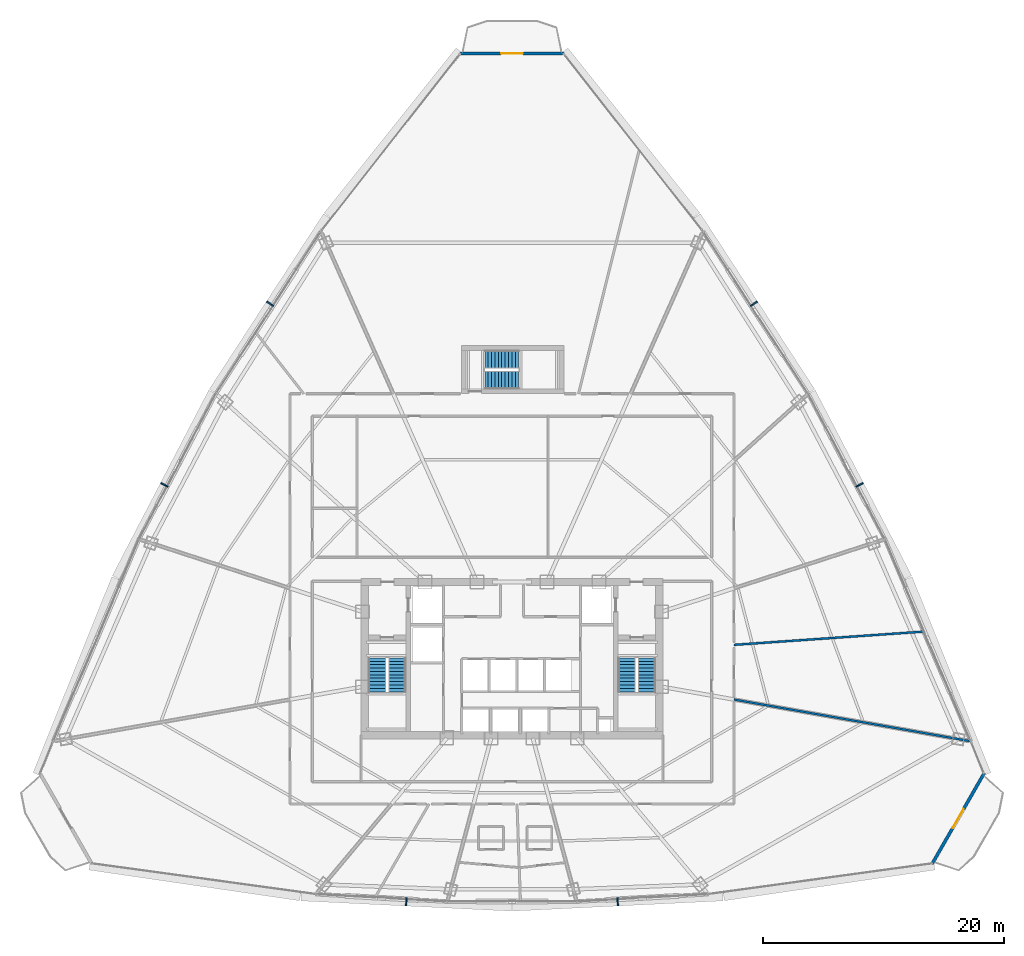
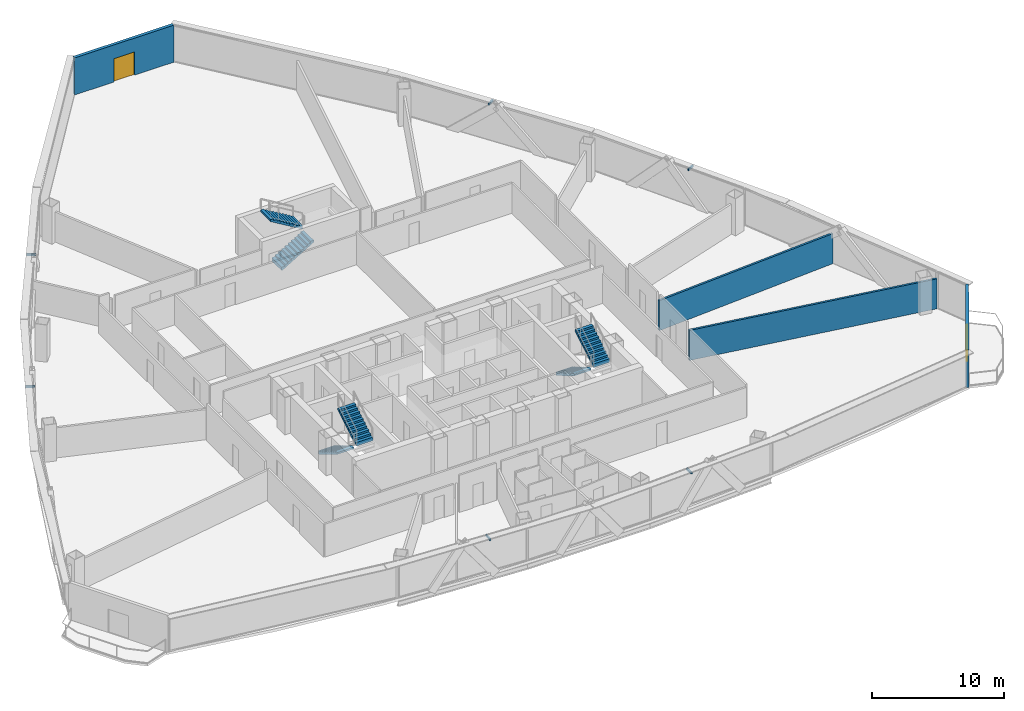
# One storey, part 35 of 39: 6 discrete accessories, 6 stair flights, 4 walls, 2 doors, 2 openings, 3 elements without a shape of their own.
"""IFC4 building model written with IfcOpenShell, lengths in metres."""

from ifc_helpers import new_model, si_unit, direction, frame, frame_2d, origin, origin_with_axes, origin_2d, place, context, subcontext, project, spatial, polyline, rectangle, outline, extrude, source, transform, mapped, material, layer, layer_set, type_object, element, fill, aggregate, save


model = new_model("IFC4")

# Units and contexts
model_context = context("Model", 3, precision=1e-05, world=origin(), true_north=direction((0.0, 1.0)))
body_context = subcontext(model_context, "Body", "Model", "MODEL_VIEW")
ifc_project = project(units=[si_unit("LENGTHUNIT", "METRE"), si_unit("AREAUNIT", "SQUARE_METRE"), si_unit("VOLUMEUNIT", "CUBIC_METRE"), si_unit("PLANEANGLEUNIT", "RADIAN"), si_unit("MASSUNIT", "GRAM", prefix="KILO"), si_unit("THERMODYNAMICTEMPERATUREUNIT", "KELVIN"), si_unit("POWERUNIT", "WATT")], contexts=[model_context])

# Site, building, storey
site_placement = place(None, origin())
site = spatial("IfcSite", under=ifc_project, at=site_placement, CompositionType="ELEMENT")
building_placement = place(site_placement, origin())
building = spatial("IfcBuilding", under=site, at=building_placement, Name="Yunzhuo Pagoda Commons", CompositionType="ELEMENT")
storey_placement = place(building_placement, frame((0.0, 0.0, 162.949951171875)))
storey = spatial("IfcBuildingStorey", under=building, at=storey_placement, Name="L41", CompositionType="ELEMENT", Elevation=162.949951171875)

# Wall, opening, door
ifc_material_1 = material(Name="Precast concrete C40", Category="concrete")
ifc_layer_1 = layer(ifc_material_1, 0.260009765625)
ifc_layer_set_1 = layer_set([ifc_layer_1], Name="Precast concrete C40")
wall_type_1 = type_object("IfcWallType", Name="W-BAL1 Corner Balcony Threshold Wall 260", PredefinedType="STANDARD", material=ifc_layer_set_1)
wall_1_placement = place(storey_placement, frame((82.813720703125, 16.820556640625, 0.0), z_axis=(0.0, 0.0, 1.0), x_axis=(0.497939858886, 0.867211564114, 0.0)))
wall_1 = element("IfcWall", 1, at=wall_1_placement, inside=storey, type_object=wall_type_1, Name="L41 corner balcony wall V2", PredefinedType="STANDARD", context=body_context, shape_type="SweptSolid", body=[
    extrude(rectangle(XDim=8.696044921875, YDim=0.260009765625, at=frame_2d((4.34814453125, 0.0))), origin(), (0.0, 0.0, 1.0), 3.420166015625),
])
opening_1_placement = place(wall_1_placement, frame((3.447998046875, 0.0, 0.0)))
opening_1 = element("IfcOpeningElement", 2, at=opening_1_placement, cuts=wall_1, Name="Opening D-BAL1", PredefinedType="OPENING", context=body_context, shape_type="SweptSolid", body=[
    extrude(rectangle(XDim=1.800048828125, YDim=2.14990234375, at=frame_2d((0.89990234375, 1.074951171875))), frame((0.0, 0.14013671875, 0.0), z_axis=(0.0, -1.0, 0.0), x_axis=(1.0, 0.0, 0.0)), (0.0, 0.0, 1.0), 0.280029296875),
])
ifc_material_2 = material(Name="Anodized aluminium frame and tempered glazed leaf", Category="aluminium")
door_type = type_object("IfcDoorType", Name="D-BAL1 Corner Balcony Sliding Glazed Door 1800x2150", OperationType="DOUBLE_DOOR_SLIDING", PredefinedType="DOOR", material=ifc_material_2)
shared_shape_1 = source(origin(), body_context, "Body", "SweptSolid", [
    extrude(rectangle(XDim=1.800048828125, YDim=2.14990234375, at=frame_2d((0.89990234375, 1.074951171875))), frame((0.0, 0.02490234375, 0.0), z_axis=(0.0, -1.0, 0.0), x_axis=(1.0, 0.0, 0.0)), (0.0, 0.0, 1.0), 0.050048828125),
])
door_1_placement = place(opening_1_placement, origin_with_axes())
door_1 = element("IfcDoor", 3, at=door_1_placement, inside=storey, type_object=door_type, Name="L41 corner balcony sliding door V2", OperationType="DOUBLE_DOOR_SLIDING", OverallHeight=2.14990234375, OverallWidth=1.800048828125, PredefinedType="DOOR", context=body_context, shape_type="MappedRepresentation", body=[
    mapped(shared_shape_1, transform((0.0, 0.0, 0.0), scale=1.0)),
])
fill(opening_1, door_1)

wall_2_placement = place(storey_placement, frame((52.33056640625, 83.997802734375, 0.0), z_axis=(0.0, 0.0, 1.0), x_axis=(-1.0, 0.0, 0.0)))
wall_2 = element("IfcWall", 4, at=wall_2_placement, inside=storey, type_object=wall_type_1, Name="L41 corner balcony wall V3", PredefinedType="STANDARD", context=body_context, shape_type="SweptSolid", body=[
    extrude(rectangle(XDim=8.6611328125, YDim=0.260009765625, at=frame_2d((4.33056640625, 0.0))), origin(), (0.0, 0.0, 1.0), 3.420166015625),
])
opening_2_placement = place(wall_2_placement, frame((3.4306640625, 0.0, 0.0)))
opening_2 = element("IfcOpeningElement", 5, at=opening_2_placement, cuts=wall_2, Name="Opening D-BAL1", PredefinedType="OPENING", context=body_context, shape_type="SweptSolid", body=[
    extrude(rectangle(XDim=1.800048828125, YDim=2.14990234375, at=frame_2d((0.89990234375, 1.074951171875))), frame((0.0, 0.14013671875, 0.0), z_axis=(0.0, -1.0, 0.0), x_axis=(1.0, 0.0, 0.0)), (0.0, 0.0, 1.0), 0.280029296875),
])
door_2_placement = place(opening_2_placement, origin_with_axes())
door_2 = element("IfcDoor", 6, at=door_2_placement, inside=storey, type_object=door_type, Name="L41 corner balcony sliding door V3", OperationType="DOUBLE_DOOR_SLIDING", OverallHeight=2.14990234375, OverallWidth=1.800048828125, PredefinedType="DOOR", context=body_context, shape_type="MappedRepresentation", body=[
    mapped(shared_shape_1, transform((0.0, 0.0, 0.0), scale=1.0)),
])
fill(opening_2, door_2)

# Walls
ifc_material_3 = material(Name="Gypsum plasterboard on acoustic stud")
ifc_layer_2 = layer(ifc_material_3, 0.175048828125)
ifc_layer_set_2 = layer_set([ifc_layer_2], Name="Gypsum plasterboard on acoustic stud")
wall_type_2 = type_object("IfcWallType", Name="W-PRT3 Mid-Zone Demising Wall 175", PredefinedType="PARTITIONING", material=ifc_layer_set_2)
wall_3_placement = place(storey_placement, frame((66.39990234375, 34.98681640625, 0.0), z_axis=(0.0, 0.0, 1.0), x_axis=(0.997565064246, 0.069741971556, 0.0)))
element("IfcWall", 7, at=wall_3_placement, inside=storey, type_object=wall_type_2, Name="L41 interior wall IW-L41-RAD01", PredefinedType="PARTITIONING", context=body_context, shape_type="SweptSolid", body=[
    extrude(rectangle(XDim=15.805419921875, YDim=0.175048828125, at=frame_2d((7.90283203125, 0.0))), origin(), (0.0, 0.0, 1.0), 2.77001953125),
])
wall_4_placement = place(storey_placement, frame((66.39990234375, 30.45556640625, 0.0), z_axis=(0.0, 0.0, 1.0), x_axis=(0.984808700761, -0.173642802629, 0.0)))
element("IfcWall", 8, at=wall_4_placement, inside=storey, type_object=wall_type_2, Name="L41 interior wall IW-L41-RAD15", PredefinedType="PARTITIONING", context=body_context, shape_type="SweptSolid", body=[
    extrude(rectangle(XDim=19.93408203125, YDim=0.175048828125, at=frame_2d((9.967041015625, 0.0))), origin(), (0.0, 0.0, 1.0), 2.77001953125),
])

# Stair, stair flights
ifc_material_4 = material(Name="Concrete C40", Category="concrete")
stair_type_1 = type_object("IfcStairType", Name="ST-C1 Core Smokeproof Stair ST1", PredefinedType="HALF_TURN_STAIR", material=ifc_material_4)
stair_1_placement = place(storey_placement, origin())
stair_1 = element("IfcStair", 9, at=stair_1_placement, inside=storey, type_object=stair_type_1, Name="L41 Core smokeproof stair ST1", PredefinedType="HALF_TURN_STAIR")
stair_flight_type_1 = type_object("IfcStairFlightType", Name="STF-C1 Core Stair Flight 1450", PredefinedType="STRAIGHT", material=ifc_material_4)
shared_shape_2 = source(origin(), body_context, "Body", "SweptSolid", [
    extrude(outline(polyline([(0.0, -0.14990234375), (0.0, 0.0), (0.0, 0.167236328125), (0.280029296875, 0.167236328125), (0.280029296875, 0.33447265625), (0.56005859375, 0.33447265625), (0.56005859375, 0.501708984375), (0.840087890625, 0.501708984375), (0.840087890625, 0.669189453125), (1.1201171875, 0.669189453125), (1.1201171875, 0.83642578125), (1.39990234375, 0.83642578125), (1.39990234375, 1.003662109375), (1.679931640625, 1.003662109375), (1.679931640625, 1.1708984375), (1.9599609375, 1.1708984375), (1.9599609375, 1.338134765625), (2.239990234375, 1.338134765625), (2.239990234375, 1.50537109375), (2.52001953125, 1.50537109375), (2.52001953125, 1.672607421875), (2.800048828125, 1.672607421875), (2.800048828125, 1.840087890625), (2.800048828125, 1.498046875), (0.292236328125, 0.0), (0.050048828125, -0.14990234375), (0.0, -0.14990234375)])), frame((0.0, 0.72509765625, 0.0), z_axis=(0.0, -1.0, 0.0), x_axis=(1.0, 0.0, 0.0)), (0.0, 0.0, 1.0), 1.449951171875),
])
stair_flight_1_placement = place(storey_placement, frame((36.824951171875, 33.89990234375, 0.0), z_axis=(0.0, 0.0, 1.0), x_axis=(0.0, -1.0, 0.0)))
stair_flight_1 = element("IfcStairFlight", 10, at=stair_flight_1_placement, type_object=stair_flight_type_1, Name="ST1 flight 1", NumberOfRisers=11, NumberOfTreads=10, PredefinedType="STRAIGHT", RiserHeight=0.167272727, TreadLength=0.28, context=body_context, shape_type="MappedRepresentation", body=[
    mapped(shared_shape_2, transform((0.0, 0.0, 0.0), scale=1.0)),
])
stair_flight_2_placement = place(storey_placement, frame((38.47509765625, 31.10009765625, 1.840087890625), z_axis=(0.0, 0.0, 1.0), x_axis=(0.0, 1.0, 0.0)))
stair_flight_2 = element("IfcStairFlight", 11, at=stair_flight_2_placement, type_object=stair_flight_type_1, Name="ST1 flight 2", NumberOfRisers=11, NumberOfTreads=10, PredefinedType="STRAIGHT", RiserHeight=0.167272727, TreadLength=0.28, context=body_context, shape_type="MappedRepresentation", body=[
    mapped(shared_shape_2, transform((0.0, 0.0, 0.0), scale=1.0)),
])
aggregate(stair_1, [stair_flight_1, stair_flight_2])

stair_type_2 = type_object("IfcStairType", Name="ST-C2 Core Smokeproof Stair ST2", PredefinedType="HALF_TURN_STAIR", material=ifc_material_4)
stair_2_placement = place(storey_placement, origin())
stair_2 = element("IfcStair", 12, at=stair_2_placement, inside=storey, type_object=stair_type_2, Name="L41 Core smokeproof stair ST2", PredefinedType="HALF_TURN_STAIR")
stair_flight_type_2 = type_object("IfcStairFlightType", Name="STF-C2 Core Stair Flight 1460", PredefinedType="STRAIGHT", material=ifc_material_4)
stair_flight_3_placement = place(storey_placement, frame((57.52490234375, 33.89990234375, 0.0), z_axis=(0.0, 0.0, 1.0), x_axis=(0.0, -1.0, 0.0)))
stair_flight_3 = element("IfcStairFlight", 13, at=stair_flight_3_placement, type_object=stair_flight_type_2, Name="ST2 flight 1", NumberOfRisers=11, NumberOfTreads=10, PredefinedType="STRAIGHT", RiserHeight=0.167272727, TreadLength=0.28, context=body_context, shape_type="MappedRepresentation", body=[
    mapped(shared_shape_2, transform((0.0, 0.0, 0.0), scale=1.0)),
])
stair_flight_4_placement = place(storey_placement, frame((59.175048828125, 31.10009765625, 1.840087890625), z_axis=(0.0, 0.0, 1.0), x_axis=(0.0, 1.0, 0.0)))
stair_flight_4 = element("IfcStairFlight", 14, at=stair_flight_4_placement, type_object=stair_flight_type_2, Name="ST2 flight 2", NumberOfRisers=11, NumberOfTreads=10, PredefinedType="STRAIGHT", RiserHeight=0.167272727, TreadLength=0.28, context=body_context, shape_type="MappedRepresentation", body=[
    mapped(shared_shape_2, transform((0.0, 0.0, 0.0), scale=1.0)),
])
aggregate(stair_2, [stair_flight_3, stair_flight_4])

stair_type_3 = type_object("IfcStairType", Name="ST-C3 North Tower Smokeproof Stair ST3", PredefinedType="HALF_TURN_STAIR", material=ifc_material_4)
stair_3_placement = place(storey_placement, origin())
stair_3 = element("IfcStair", 15, at=stair_3_placement, inside=storey, type_object=stair_type_3, Name="L41 North tower smokeproof stair ST3", PredefinedType="HALF_TURN_STAIR")
stair_flight_type_3 = type_object("IfcStairFlightType", Name="STF-C3 North Stair Flight 1500", PredefinedType="STRAIGHT", material=ifc_material_4)
shared_shape_3 = source(origin(), body_context, "Body", "SweptSolid", [
    extrude(outline(polyline([(0.0, -0.14990234375), (0.0, 0.0), (0.0, 0.167236328125), (0.280029296875, 0.167236328125), (0.280029296875, 0.33447265625), (0.56005859375, 0.33447265625), (0.56005859375, 0.501708984375), (0.840087890625, 0.501708984375), (0.840087890625, 0.669189453125), (1.1201171875, 0.669189453125), (1.1201171875, 0.83642578125), (1.39990234375, 0.83642578125), (1.39990234375, 1.003662109375), (1.679931640625, 1.003662109375), (1.679931640625, 1.1708984375), (1.9599609375, 1.1708984375), (1.9599609375, 1.338134765625), (2.239990234375, 1.338134765625), (2.239990234375, 1.50537109375), (2.52001953125, 1.50537109375), (2.52001953125, 1.672607421875), (2.800048828125, 1.672607421875), (2.800048828125, 1.840087890625), (2.800048828125, 1.498046875), (0.292236328125, 0.0), (0.050048828125, -0.14990234375), (0.0, -0.14990234375)])), frame((0.0, 0.75, 0.0), z_axis=(0.0, -1.0, 0.0), x_axis=(1.0, 0.0, 0.0)), (0.0, 0.0, 1.0), 1.5),
])
stair_flight_5_placement = place(storey_placement, frame((45.75, 56.949951171875, 0.0), z_axis=(0.0, 0.0, 1.0), x_axis=(1.0, 0.0, 0.0)))
stair_flight_5 = element("IfcStairFlight", 16, at=stair_flight_5_placement, type_object=stair_flight_type_3, Name="ST3 flight 1", NumberOfRisers=11, NumberOfTreads=10, PredefinedType="STRAIGHT", RiserHeight=0.167272727, TreadLength=0.28, context=body_context, shape_type="MappedRepresentation", body=[
    mapped(shared_shape_3, transform((0.0, 0.0, 0.0), scale=1.0)),
])
stair_flight_6_placement = place(storey_placement, frame((48.550048828125, 58.64990234375, 1.840087890625), z_axis=(0.0, 0.0, 1.0), x_axis=(-1.0, 0.0, 0.0)))
stair_flight_6 = element("IfcStairFlight", 17, at=stair_flight_6_placement, type_object=stair_flight_type_3, Name="ST3 flight 2", NumberOfRisers=11, NumberOfTreads=10, PredefinedType="STRAIGHT", RiserHeight=0.167272727, TreadLength=0.28, context=body_context, shape_type="MappedRepresentation", body=[
    mapped(shared_shape_3, transform((0.0, 0.0, 0.0), scale=1.0)),
])
aggregate(stair_3, [stair_flight_5, stair_flight_6])

# Discrete accessories
ifc_material_5 = material(Name="Anodized aluminium 6063-T6", Category="aluminium")
discrete_accessory_type = type_object("IfcDiscreteAccessoryType", Name="BK-SUN1 Sunshade Outrigger Bracket", PredefinedType="BRACKET", material=ifc_material_5)
shared_shape_4 = source(origin(), body_context, "Body", "SweptSolid", [
    extrude(rectangle(XDim=0.1201171875, YDim=0.679931640625, at=origin_2d()), origin(), (0.0, 0.0, 1.0), 0.179931640625),
])
for number, where, z_axis, x_axis, name in (
    (18, (39.239990234375, 13.70556640625, 3.2099609375), (0.0, 0.0, 1.0), (0.998818043775, -0.04860571396, 0.0), "L41 sunshade outrigger bracket F1.2"),
    (19, (56.760009765625, 13.70556640625, 3.2099609375), (0.0, 0.0, 1.0), (0.998818043775, 0.04860571396, 0.0), "L41 sunshade outrigger bracket F1.3"),
    (20, (76.80810546875, 48.247314453125, 3.2099609375), (0.0, 0.0, 1.0), (-0.461206683033, 0.88729273384, 0.0), "L41 sunshade outrigger bracket F2.2"),
    (21, (68.0478515625, 63.25439453125, 3.2099609375), (0.0, 0.0, 1.0), (-0.545853380833, 0.837880711458, 0.0), "L41 sunshade outrigger bracket F2.3"),
    (22, (27.9521484375, 63.25439453125, 3.2099609375), (0.0, 0.0, 1.0), (-0.545853380833, -0.837880711458, 0.0), "L41 sunshade outrigger bracket F3.2"),
    (23, (19.19189453125, 48.247314453125, 3.2099609375), (0.0, 0.0, 1.0), (-0.461206683033, -0.88729273384, 0.0), "L41 sunshade outrigger bracket F3.3"),
):
    element("IfcDiscreteAccessory", number, at=place(storey_placement, frame(where, z_axis=z_axis, x_axis=x_axis)), inside=storey, type_object=discrete_accessory_type, Name=name, PredefinedType="BRACKET", context=body_context, shape_type="MappedRepresentation", body=[
        mapped(shared_shape_4, transform((0.0, 0.0, 0.0), scale=1.0)),
    ])

save(model, "model.ifc")
